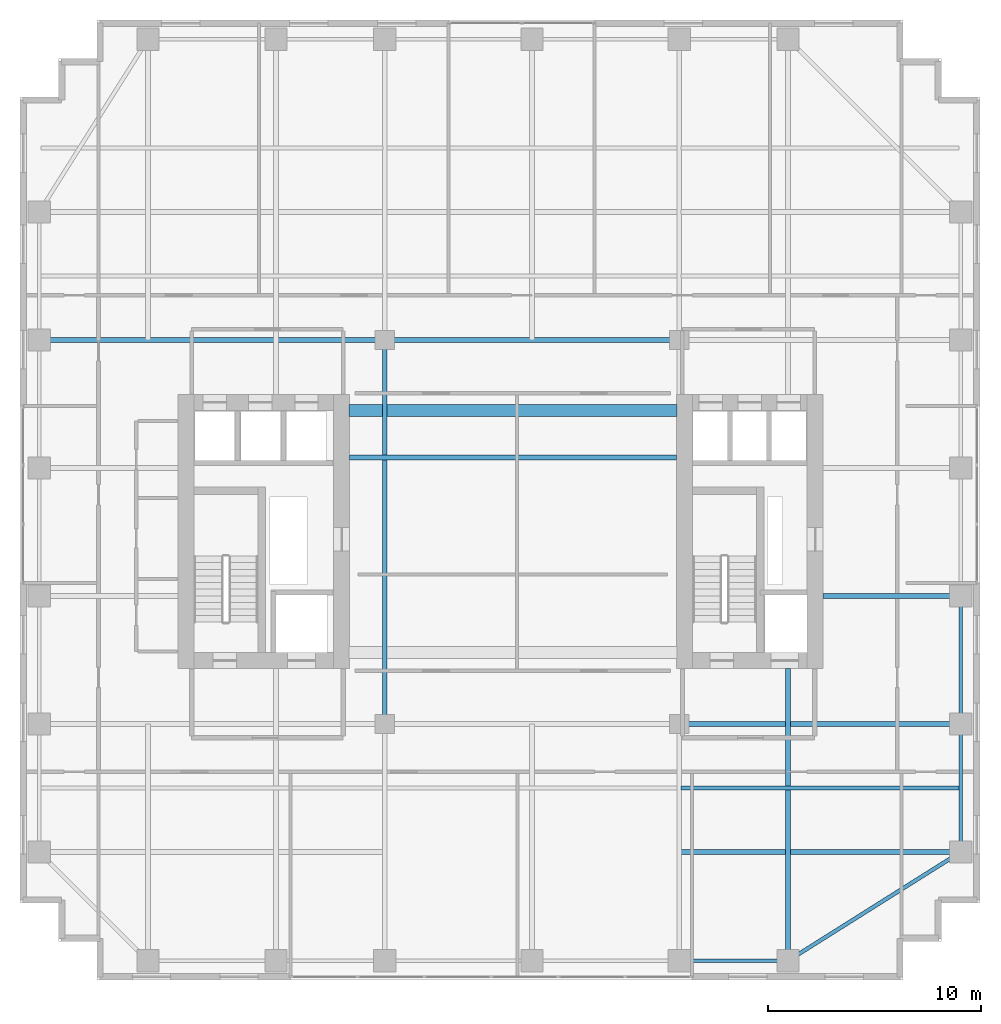
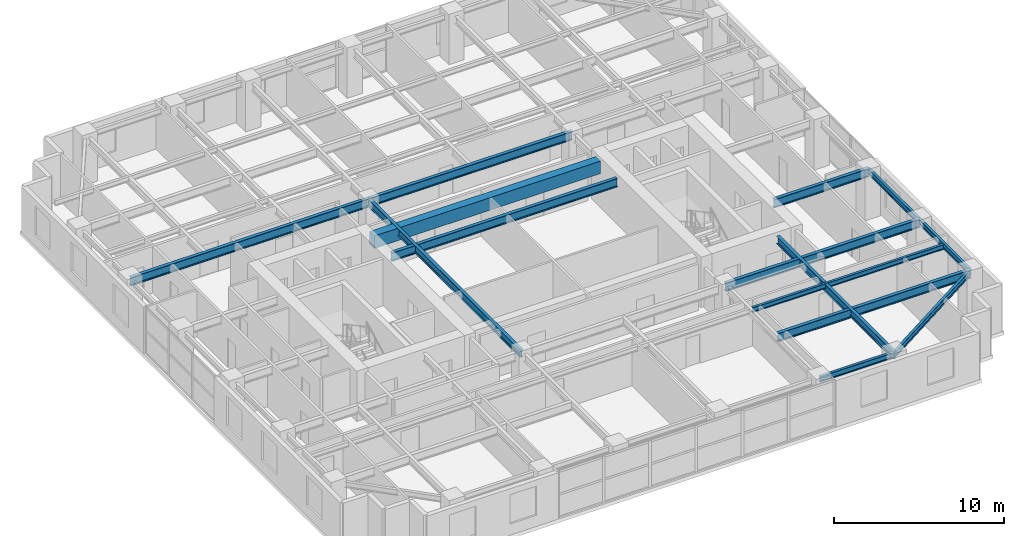
# One storey, part 8 of 18: 14 beams.
"""IFC4 building model written with IfcOpenShell, lengths in metres."""

from ifc_helpers import new_model, si_unit, direction, frame, origin, origin_2d, place, context, subcontext, project, spatial, rectangle, i_section, extrude, source, transform, mapped, material, material_profile, profile_set, type_object, element, save


model = new_model("IFC4")

# Units and contexts
model_context = context("Model", 3, precision=1e-05, world=origin(), true_north=direction((0.0, 1.0)))
body_context = subcontext(model_context, "Body", "Model", "MODEL_VIEW")
ifc_project = project(units=[si_unit("LENGTHUNIT", "METRE"), si_unit("AREAUNIT", "SQUARE_METRE"), si_unit("VOLUMEUNIT", "CUBIC_METRE"), si_unit("PLANEANGLEUNIT", "RADIAN"), si_unit("MASSUNIT", "GRAM", prefix="KILO")], contexts=[model_context])

# Site, building, storey
site_placement = place(None, origin())
site = spatial("IfcSite", under=ifc_project, at=site_placement, CompositionType="ELEMENT")
building_placement = place(site_placement, origin())
building = spatial("IfcBuilding", under=site, at=building_placement, Name="Khoralis Quay Care Tower", CompositionType="ELEMENT")
storey_placement = place(building_placement, frame((0.0, 0.0, 130.5)))
storey = spatial("IfcBuildingStorey", under=building, at=storey_placement, Name="L34", CompositionType="ELEMENT", Elevation=130.5)

# Beams
ifc_material_1 = material(Name="Concrete C65/80", Category="concrete")
ifc_material_profile_1 = material_profile(ifc_material_1, rectangle(XDim=0.550048828125, YDim=0.89990234375, at=origin_2d()), Name="Concrete C65/80")
ifc_profile_set_1 = profile_set([ifc_material_profile_1], Name="Concrete C65/80")
beam_type_1 = type_object("IfcBeamType", Name="CB-RC550X900", PredefinedType="LINTEL", material=ifc_profile_set_1)
shared_shape_1 = source(origin(), body_context, "Body", "SweptSolid", [
    extrude(rectangle(XDim=0.550048828125, YDim=0.89990234375, at=origin_2d()), origin(), (0.0, 0.0, 1.0), 15.380126953125),
])
beam_1_placement = place(storey_placement, frame((15.419921875, 26.699951171875, 2.889892578125), z_axis=(1.0, 0.0, 0.0), x_axis=(0.0, 1.0, 0.0)))
element("IfcBeam", 1, at=beam_1_placement, inside=storey, type_object=beam_type_1, Name="L34 North Core Coupling Lintel", PredefinedType="LINTEL", context=body_context, shape_type="MappedRepresentation", body=[
    mapped(shared_shape_1, transform((0.0, 0.0, 0.0), scale=1.0)),
])
ifc_material_2 = material(Name="Steel S355", Category="steel")
ifc_material_profile_2 = material_profile(ifc_material_2, i_section(OverallWidth=0.179931640625, OverallDepth=0.39990234375, WebThickness=0.008544921875, FlangeThickness=0.013427734375, FilletRadius=0.02099609375, at=origin_2d()), Name="Steel S355")
ifc_profile_set_2 = profile_set([ifc_material_profile_2], Name="Steel S355")
beam_type_2 = type_object("IfcBeamType", Name="BM-IPE400", PredefinedType="SPANDREL", material=ifc_profile_set_2)
shared_shape_2 = source(origin(), body_context, "Body", "SweptSolid", [
    extrude(i_section(OverallWidth=0.179931640625, OverallDepth=0.39990234375, WebThickness=0.008544921875, FlangeThickness=0.013427734375, FilletRadius=0.02099609375, at=origin_2d()), origin(), (0.0, 0.0, 1.0), 6.0),
])
for number, where, z_axis, x_axis, name in (
    (2, (44.10009765625, 6.0, 3.139892578125), (0.0, 1.0, 0.0), (-1.0, 0.0, 0.0), "BM-TSP-L34-16"),
    (3, (44.10009765625, 12.0, 3.139892578125), (0.0, 1.0, 0.0), (-1.0, 0.0, 0.0), "BM-TSP-L34-17"),
):
    element("IfcBeam", number, at=place(storey_placement, frame(where, z_axis=z_axis, x_axis=x_axis)), inside=storey, type_object=beam_type_2, Name=name, PredefinedType="SPANDREL", context=body_context, shape_type="MappedRepresentation", body=[
        mapped(shared_shape_2, transform((0.0, 0.0, 0.0), scale=1.0)),
    ])
shared_shape_3 = source(origin(), body_context, "Body", "SweptSolid", [
    extrude(i_section(OverallWidth=0.179931640625, OverallDepth=0.39990234375, WebThickness=0.008544921875, FlangeThickness=0.013427734375, FilletRadius=0.02099609375, at=origin_2d()), origin(), (0.0, 0.0, 1.0), 5.10009765625),
])
beam_2_placement = place(storey_placement, frame((30.89990234375, 0.89990234375, 3.139892578125), z_axis=(1.0, 0.0, 0.0), x_axis=(0.0, 1.0, 0.0)))
element("IfcBeam", 4, at=beam_2_placement, inside=storey, type_object=beam_type_2, Name="BM-TSP-L34-05", PredefinedType="SPANDREL", context=body_context, shape_type="MappedRepresentation", body=[
    mapped(shared_shape_3, transform((0.0, 0.0, 0.0), scale=1.0)),
])
shared_shape_4 = source(origin(), body_context, "Body", "SweptSolid", [
    extrude(i_section(OverallWidth=0.179931640625, OverallDepth=0.39990234375, WebThickness=0.008544921875, FlangeThickness=0.013427734375, FilletRadius=0.02099609375, at=origin_2d()), origin(), (0.0, 0.0, 1.0), 9.572021484375),
])
beam_3_placement = place(storey_placement, frame((36.0, 0.89990234375, 3.139892578125), z_axis=(0.846231136359, 0.532815975602, 0.0), x_axis=(-0.532815975602, 0.846231136359, 0.0)))
element("IfcBeam", 5, at=beam_3_placement, inside=storey, type_object=beam_type_2, Name="BM-TCR-L34-22", PredefinedType="SPANDREL", context=body_context, shape_type="MappedRepresentation", body=[
    mapped(shared_shape_4, transform((0.0, 0.0, 0.0), scale=1.0)),
])
ifc_material_profile_3 = material_profile(ifc_material_2, i_section(OverallWidth=0.22998046875, OverallDepth=0.616943359375, WebThickness=0.01318359375, FlangeThickness=0.022216796875, FilletRadius=0.01806640625, at=origin_2d()), Name="Steel S355")
ifc_profile_set_3 = profile_set([ifc_material_profile_3], Name="Steel S355")
beam_type_3 = type_object("IfcBeamType", Name="BM-W610X140", PredefinedType="BEAM", material=ifc_profile_set_3)
shared_shape_5 = source(origin(), body_context, "Body", "SweptSolid", [
    extrude(i_section(OverallWidth=0.22998046875, OverallDepth=0.616943359375, WebThickness=0.01318359375, FlangeThickness=0.022216796875, FilletRadius=0.01806640625, at=origin_2d()), origin(), (0.0, 0.0, 1.0), 16.2001953125),
])
beam_4_placement = place(storey_placement, frame((0.89990234375, 30.0, 3.031494140625), z_axis=(1.0, 0.0, 0.0), x_axis=(0.0, 1.0, 0.0)))
element("IfcBeam", 6, at=beam_4_placement, inside=storey, type_object=beam_type_3, Name="BM-TGXW-L34-300", PredefinedType="BEAM", context=body_context, shape_type="MappedRepresentation", body=[
    mapped(shared_shape_5, transform((0.0, 0.0, 0.0), scale=1.0)),
])
shared_shape_6 = source(origin(), body_context, "Body", "SweptSolid", [
    extrude(i_section(OverallWidth=0.22998046875, OverallDepth=0.616943359375, WebThickness=0.01318359375, FlangeThickness=0.022216796875, FilletRadius=0.01806640625, at=origin_2d()), origin(), (0.0, 0.0, 1.0), 13.106201171875),
])
beam_5_placement = place(storey_placement, frame((30.993896484375, 6.0, 3.031494140625), z_axis=(1.0, 0.0, 0.0), x_axis=(0.0, 1.0, 0.0)))
element("IfcBeam", 7, at=beam_5_placement, inside=storey, type_object=beam_type_3, Name="BM-TGXE-L34-60", PredefinedType="BEAM", context=body_context, shape_type="MappedRepresentation", body=[
    mapped(shared_shape_6, transform((0.0, 0.0, 0.0), scale=1.0)),
])
shared_shape_7 = source(origin(), body_context, "Body", "SweptSolid", [
    extrude(i_section(OverallWidth=0.22998046875, OverallDepth=0.616943359375, WebThickness=0.01318359375, FlangeThickness=0.022216796875, FilletRadius=0.01806640625, at=origin_2d()), origin(), (0.0, 0.0, 1.0), 13.2001953125),
])
beam_6_placement = place(storey_placement, frame((30.89990234375, 12.0, 3.031494140625), z_axis=(1.0, 0.0, 0.0), x_axis=(0.0, 1.0, 0.0)))
element("IfcBeam", 8, at=beam_6_placement, inside=storey, type_object=beam_type_3, Name="BM-TGXE-L34-120", PredefinedType="BEAM", context=body_context, shape_type="MappedRepresentation", body=[
    mapped(shared_shape_7, transform((0.0, 0.0, 0.0), scale=1.0)),
])
shared_shape_8 = source(origin(), body_context, "Body", "SweptSolid", [
    extrude(i_section(OverallWidth=0.22998046875, OverallDepth=0.616943359375, WebThickness=0.01318359375, FlangeThickness=0.022216796875, FilletRadius=0.01806640625, at=origin_2d()), origin(), (0.0, 0.0, 1.0), 6.4521484375),
])
beam_7_placement = place(storey_placement, frame((37.64794921875, 18.0, 3.031494140625), z_axis=(1.0, 0.0, 0.0), x_axis=(0.0, 1.0, 0.0)))
element("IfcBeam", 9, at=beam_7_placement, inside=storey, type_object=beam_type_3, Name="BM-TGXE-L34-180", PredefinedType="BEAM", context=body_context, shape_type="MappedRepresentation", body=[
    mapped(shared_shape_8, transform((0.0, 0.0, 0.0), scale=1.0)),
])
shared_shape_9 = source(origin(), body_context, "Body", "SweptSolid", [
    extrude(i_section(OverallWidth=0.22998046875, OverallDepth=0.616943359375, WebThickness=0.01318359375, FlangeThickness=0.022216796875, FilletRadius=0.01806640625, at=origin_2d()), origin(), (0.0, 0.0, 1.0), 13.7998046875),
])
beam_8_placement = place(storey_placement, frame((17.10009765625, 30.0, 3.031494140625), z_axis=(1.0, 0.0, 0.0), x_axis=(0.0, 1.0, 0.0)))
element("IfcBeam", 10, at=beam_8_placement, inside=storey, type_object=beam_type_3, Name="BM-TGCC-L34-300", PredefinedType="BEAM", context=body_context, shape_type="MappedRepresentation", body=[
    mapped(shared_shape_9, transform((0.0, 0.0, 0.0), scale=1.0)),
])
shared_shape_10 = source(origin(), body_context, "Body", "SweptSolid", [
    extrude(i_section(OverallWidth=0.22998046875, OverallDepth=0.616943359375, WebThickness=0.01318359375, FlangeThickness=0.022216796875, FilletRadius=0.01806640625, at=origin_2d()), origin(), (0.0, 0.0, 1.0), 15.323974609375),
])
beam_9_placement = place(storey_placement, frame((15.447998046875, 24.5, 3.031494140625), z_axis=(1.0, 0.0, 0.0), x_axis=(0.0, 1.0, 0.0)))
element("IfcBeam", 11, at=beam_9_placement, inside=storey, type_object=beam_type_3, Name="BM-TGCC-L34-245", PredefinedType="BEAM", context=body_context, shape_type="MappedRepresentation", body=[
    mapped(shared_shape_10, transform((0.0, 0.0, 0.0), scale=1.0)),
])
ifc_material_profile_4 = material_profile(ifc_material_2, i_section(OverallWidth=0.2119140625, OverallDepth=0.5439453125, WebThickness=0.01318359375, FlangeThickness=0.021240234375, FilletRadius=0.01611328125, at=origin_2d()), Name="Steel S355")
ifc_profile_set_4 = profile_set([ifc_material_profile_4], Name="Steel S355")
beam_type_4 = type_object("IfcBeamType", Name="BM-W530X123", PredefinedType="BEAM", material=ifc_profile_set_4)
shared_shape_11 = source(origin(), body_context, "Body", "SweptSolid", [
    extrude(i_section(OverallWidth=0.2119140625, OverallDepth=0.5439453125, WebThickness=0.01318359375, FlangeThickness=0.021240234375, FilletRadius=0.01611328125, at=origin_2d()), origin(), (0.0, 0.0, 1.0), 13.7021484375),
])
beam_10_placement = place(storey_placement, frame((36.0, 0.89990234375, 3.068115234375), z_axis=(0.0, 1.0, 0.0), x_axis=(-1.0, 0.0, 0.0)))
element("IfcBeam", 12, at=beam_10_placement, inside=storey, type_object=beam_type_4, Name="BM-TGYS-L34-360", PredefinedType="BEAM", context=body_context, shape_type="MappedRepresentation", body=[
    mapped(shared_shape_11, transform((0.0, 0.0, 0.0), scale=1.0)),
])
shared_shape_12 = source(origin(), body_context, "Body", "SweptSolid", [
    extrude(i_section(OverallWidth=0.2119140625, OverallDepth=0.5439453125, WebThickness=0.01318359375, FlangeThickness=0.021240234375, FilletRadius=0.01611328125, at=origin_2d()), origin(), (0.0, 0.0, 1.0), 18.0),
])
beam_11_placement = place(storey_placement, frame((17.10009765625, 12.0, 3.068115234375), z_axis=(0.0, 1.0, 0.0), x_axis=(-1.0, 0.0, 0.0)))
element("IfcBeam", 13, at=beam_11_placement, inside=storey, type_object=beam_type_4, Name="BM-TGSW-L34", PredefinedType="BEAM", context=body_context, shape_type="MappedRepresentation", body=[
    mapped(shared_shape_12, transform((0.0, 0.0, 0.0), scale=1.0)),
])
ifc_material_profile_5 = material_profile(ifc_material_2, i_section(OverallWidth=0.1708984375, OverallDepth=0.35498046875, WebThickness=0.007080078125, FlangeThickness=0.01171875, FilletRadius=0.012939453125, at=origin_2d()), Name="Steel S355")
ifc_profile_set_5 = profile_set([ifc_material_profile_5], Name="Steel S355")
beam_type_5 = type_object("IfcBeamType", Name="BM-W360X51", PredefinedType="JOIST", material=ifc_profile_set_5)
shared_shape_13 = source(origin(), body_context, "Body", "SweptSolid", [
    extrude(i_section(OverallWidth=0.1708984375, OverallDepth=0.35498046875, WebThickness=0.007080078125, FlangeThickness=0.01171875, FilletRadius=0.012939453125, at=origin_2d()), origin(), (0.0, 0.0, 1.0), 13.030029296875),
])
beam_12_placement = place(storey_placement, frame((30.993896484375, 9.0, 3.16259765625), z_axis=(1.0, 0.0, 0.0), x_axis=(0.0, 1.0, 0.0)))
element("IfcBeam", 14, at=beam_12_placement, inside=storey, type_object=beam_type_5, Name="BM-TJS-L34-26", PredefinedType="JOIST", context=body_context, shape_type="MappedRepresentation", body=[
    mapped(shared_shape_13, transform((0.0, 0.0, 0.0), scale=1.0)),
])

save(model, "model.ifc")
